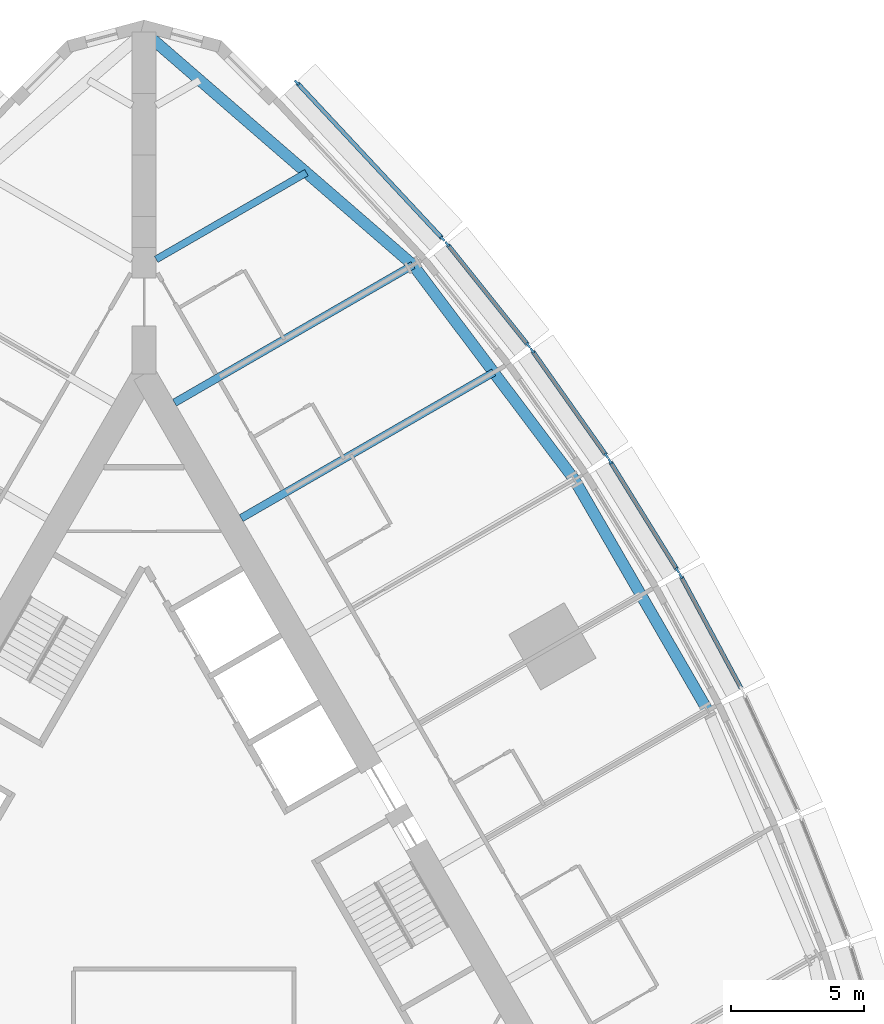
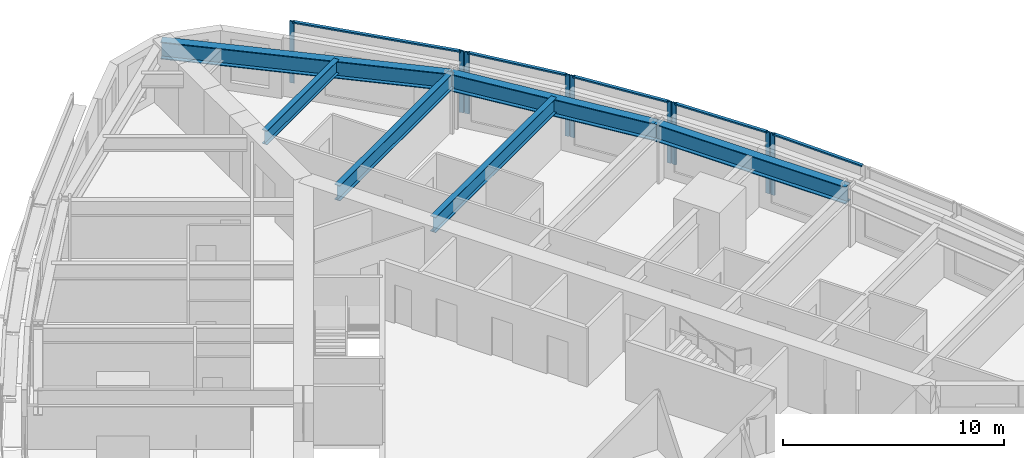
# One storey, part 5 of 14: 14 members, 6 beams, 5 elements without a shape of their own.
"""IFC4 building model written with IfcOpenShell, lengths in metres."""

from ifc_helpers import new_model, si_unit, direction, frame, origin, origin_2d, place, context, subcontext, project, spatial, rectangle, i_section, extrude, material, material_profile, profile_set, type_object, element, aggregate, save


model = new_model("IFC4")

# Units and contexts
model_context = context("Model", 3, precision=1e-05, world=origin(), true_north=direction((0.0, 1.0)))
body_context = subcontext(model_context, "Body", "Model", "MODEL_VIEW")
ifc_project = project(units=[si_unit("LENGTHUNIT", "METRE"), si_unit("AREAUNIT", "SQUARE_METRE"), si_unit("VOLUMEUNIT", "CUBIC_METRE"), si_unit("PLANEANGLEUNIT", "RADIAN"), si_unit("MASSUNIT", "GRAM", prefix="KILO")], contexts=[model_context])

# Site, building, storey
site_placement = place(None, origin())
site = spatial("IfcSite", under=ifc_project, at=site_placement, CompositionType="ELEMENT")
building_placement = place(site_placement, origin())
building = spatial("IfcBuilding", under=site, at=building_placement, Name="Trikona Tower", CompositionType="ELEMENT")
storey_placement = place(building_placement, frame((0.0, 0.0, 55.699951171875)))
storey = spatial("IfcBuildingStorey", under=building, at=storey_placement, Name="L13", CompositionType="ELEMENT", Elevation=55.699951171875)

# Curtain wall, member
ifc_material_1 = material(Name="Aluminium curtain wall system", Category="aluminium")
curtain_wall_type = type_object("IfcCurtainWallType", Name="Curtain wall DS1", PredefinedType="NOTDEFINED", material=ifc_material_1)
curtain_wall_1_placement = place(storey_placement, origin())
curtain_wall_1 = element("IfcCurtainWall", 1, at=curtain_wall_1_placement, inside=storey, type_object=curtain_wall_type, Name="Curtain wall DS1 L13", PredefinedType="NOTDEFINED")
ifc_material_2 = material(Name="Aluminium mullion, pale anodised", Category="aluminium")
ifc_material_profile_1 = material_profile(ifc_material_2, rectangle(XDim=0.080078125, YDim=0.219970703125, at=origin_2d()), Name="MUL-DS1")
ifc_profile_set_1 = profile_set([ifc_material_profile_1], Name="Aluminium mullion, pale anodised")
member_type_1 = type_object("IfcMemberType", Name="Mullion DS1 80x220", PredefinedType="MULLION", material=ifc_profile_set_1)
member_1_placement = place(storey_placement, frame((20.128662109375, 11.474365234375, 0.0), z_axis=(0.0, 0.0, 1.0), x_axis=(-0.880843080975, -0.473408350896, 0.0)))
member_1 = element("IfcMember", 2, at=member_1_placement, type_object=member_type_1, Name="CW-DS1 mullion 2", PredefinedType="MULLION", context=body_context, shape_type="SweptSolid", body=[
    extrude(rectangle(XDim=0.080078125, YDim=0.219970703125, at=origin_2d()), origin(), (0.0, 0.0, 1.0), 3.400146484375),
])

# Curtain wall, members
curtain_wall_2_placement = place(storey_placement, origin())
curtain_wall_2 = element("IfcCurtainWall", 3, at=curtain_wall_2_placement, inside=storey, type_object=curtain_wall_type, Name="Curtain wall DS1 L13", PredefinedType="NOTDEFINED")
member_2_placement = place(storey_placement, frame((20.00146484375, 11.69482421875, 0.0), z_axis=(0.0, 0.0, 1.0), x_axis=(-0.850410468941, -0.526119790842, 0.0)))
member_2 = element("IfcMember", 4, at=member_2_placement, type_object=member_type_1, Name="CW-DS1 mullion 1", PredefinedType="MULLION", context=body_context, shape_type="SweptSolid", body=[
    extrude(rectangle(XDim=0.080078125, YDim=0.219970703125, at=origin_2d()), origin(), (0.0, 0.0, 1.0), 3.400146484375),
])
member_3_placement = place(storey_placement, frame((17.474853515625, 15.77880859375, 0.0), z_axis=(0.0, 0.0, 1.0), x_axis=(-0.850410468941, -0.526119790842, 0.0)))
member_3 = element("IfcMember", 5, at=member_3_placement, type_object=member_type_1, Name="CW-DS1 mullion 2", PredefinedType="MULLION", context=body_context, shape_type="SweptSolid", body=[
    extrude(rectangle(XDim=0.080078125, YDim=0.219970703125, at=origin_2d()), origin(), (0.0, 0.0, 1.0), 3.400146484375),
])

curtain_wall_3_placement = place(storey_placement, origin())
curtain_wall_3 = element("IfcCurtainWall", 6, at=curtain_wall_3_placement, inside=storey, type_object=curtain_wall_type, Name="Curtain wall DS1 L13", PredefinedType="NOTDEFINED")
member_4_placement = place(storey_placement, frame((17.33447265625, 15.990966796875, 0.0), z_axis=(0.0, 0.0, 1.0), x_axis=(-0.816985393055, -0.576658362928, 0.0)))
member_4 = element("IfcMember", 7, at=member_4_placement, type_object=member_type_1, Name="CW-DS1 mullion 1", PredefinedType="MULLION", context=body_context, shape_type="SweptSolid", body=[
    extrude(rectangle(XDim=0.080078125, YDim=0.219970703125, at=origin_2d()), origin(), (0.0, 0.0, 1.0), 3.400146484375),
])
member_5_placement = place(storey_placement, frame((14.554443359375, 19.929443359375, 0.0), z_axis=(0.0, 0.0, 1.0), x_axis=(-0.816985393055, -0.576658362928, 0.0)))
member_5 = element("IfcMember", 8, at=member_5_placement, type_object=member_type_1, Name="CW-DS1 mullion 2", PredefinedType="MULLION", context=body_context, shape_type="SweptSolid", body=[
    extrude(rectangle(XDim=0.080078125, YDim=0.219970703125, at=origin_2d()), origin(), (0.0, 0.0, 1.0), 3.400146484375),
])

curtain_wall_4_placement = place(storey_placement, origin())
curtain_wall_4 = element("IfcCurtainWall", 9, at=curtain_wall_4_placement, inside=storey, type_object=curtain_wall_type, Name="Curtain wall DS1 L13", PredefinedType="NOTDEFINED")
member_6_placement = place(storey_placement, frame((14.40185546875, 20.13232421875, 0.0), z_axis=(0.0, 0.0, 1.0), x_axis=(-0.780937959679, -0.624608599951, 0.0)))
member_6 = element("IfcMember", 10, at=member_6_placement, type_object=member_type_1, Name="CW-DS1 mullion 1", PredefinedType="MULLION", context=body_context, shape_type="SweptSolid", body=[
    extrude(rectangle(XDim=0.080078125, YDim=0.219970703125, at=origin_2d()), origin(), (0.0, 0.0, 1.0), 3.400146484375),
])
member_7_placement = place(storey_placement, frame((11.36767578125, 23.926025390625, 0.0), z_axis=(0.0, 0.0, 1.0), x_axis=(-0.780937959679, -0.624608599951, 0.0)))
member_7 = element("IfcMember", 11, at=member_7_placement, type_object=member_type_1, Name="CW-DS1 mullion 2", PredefinedType="MULLION", context=body_context, shape_type="SweptSolid", body=[
    extrude(rectangle(XDim=0.080078125, YDim=0.219970703125, at=origin_2d()), origin(), (0.0, 0.0, 1.0), 3.400146484375),
])

curtain_wall_5_placement = place(storey_placement, origin())
curtain_wall_5 = element("IfcCurtainWall", 12, at=curtain_wall_5_placement, inside=storey, type_object=curtain_wall_type, Name="Curtain wall DS1 L13", PredefinedType="NOTDEFINED")
member_8_placement = place(storey_placement, frame((11.192138671875, 24.129150390625, 0.0), z_axis=(0.0, 0.0, 1.0), x_axis=(-0.731076639405, -0.682295351967, 0.0)))
member_8 = element("IfcMember", 13, at=member_8_placement, type_object=member_type_1, Name="CW-DS1 mullion 1", PredefinedType="MULLION", context=body_context, shape_type="SweptSolid", body=[
    extrude(rectangle(XDim=0.080078125, YDim=0.219970703125, at=origin_2d()), origin(), (0.0, 0.0, 1.0), 3.400146484375),
])
member_9_placement = place(storey_placement, frame((5.72607421875, 29.98583984375, 0.0), z_axis=(0.0, 0.0, 1.0), x_axis=(-0.731076639405, -0.682295351967, 0.0)))
member_9 = element("IfcMember", 14, at=member_9_placement, type_object=member_type_1, Name="CW-DS1 mullion 2", PredefinedType="MULLION", context=body_context, shape_type="SweptSolid", body=[
    extrude(rectangle(XDim=0.080078125, YDim=0.219970703125, at=origin_2d()), origin(), (0.0, 0.0, 1.0), 3.400146484375),
])

# Beams
ifc_material_3 = material(Name="Steel ASTM A992 Grade 50", Category="steel")
ifc_material_profile_2 = material_profile(ifc_material_3, i_section(OverallWidth=0.2666015625, OverallDepth=0.76953125, WebThickness=0.015625, FlangeThickness=0.025390625, at=origin_2d()), Name="W30X132")
ifc_profile_set_2 = profile_set([ifc_material_profile_2], Name="Steel ASTM A992 Grade 50")
beam_type_1 = type_object("IfcBeamType", Name="Steel beam W30x132 (wedge)", PredefinedType="BEAM", material=ifc_profile_set_2)
beam_1_placement = place(storey_placement, frame((0.449951171875, 23.353759765625, 2.850341796875), z_axis=(0.866022504693, 0.50000502134, 0.0), x_axis=(-0.50000502134, 0.866022504693, 0.0)))
element("IfcBeam", 15, at=beam_1_placement, inside=storey, type_object=beam_type_1, Name="Floor beam L14 F2 u20", PredefinedType="BEAM", context=body_context, shape_type="SweptSolid", body=[
    extrude(i_section(OverallWidth=0.2666015625, OverallDepth=0.76953125, WebThickness=0.015625, FlangeThickness=0.025390625, at=origin_2d()), origin(), (0.0, 0.0, 1.0), 6.5068359375),
])
ifc_material_4 = material(Name="Steel ASTM A992 Grade 50", Category="steel")
ifc_material_profile_3 = material_profile(ifc_material_4, i_section(OverallWidth=0.2919921875, OverallDepth=0.845703125, WebThickness=0.015380859375, FlangeThickness=0.0244140625, at=origin_2d()), Name="W33X141")
ifc_profile_set_3 = profile_set([ifc_material_profile_3], Name="Steel ASTM A992 Grade 50")
beam_type_2 = type_object("IfcBeamType", Name="Steel beam W33x141 (radial typ)", PredefinedType="BEAM", material=ifc_profile_set_3)
beam_2_placement = place(storey_placement, frame((3.6396484375, 13.6484375, 2.812255859375), z_axis=(0.866025348605, 0.500000095573, 0.0), x_axis=(-0.500000095573, 0.866025348605, 0.0)))
element("IfcBeam", 16, at=beam_2_placement, inside=storey, type_object=beam_type_2, Name="Floor beam L14 F2 u10", PredefinedType="BEAM", context=body_context, shape_type="SweptSolid", body=[
    extrude(i_section(OverallWidth=0.2919921875, OverallDepth=0.845703125, WebThickness=0.015380859375, FlangeThickness=0.0244140625, at=origin_2d()), origin(), (0.0, 0.0, 1.0), 10.935546875),
])
beam_3_placement = place(storey_placement, frame((1.1396484375, 17.978515625, 2.812255859375), z_axis=(0.866030471684, 0.499991222037, 0.0), x_axis=(-0.499991222037, 0.866030471684, 0.0)))
element("IfcBeam", 17, at=beam_3_placement, inside=storey, type_object=beam_type_2, Name="Floor beam L14 F2 u15", PredefinedType="BEAM", context=body_context, shape_type="SweptSolid", body=[
    extrude(i_section(OverallWidth=0.2919921875, OverallDepth=0.845703125, WebThickness=0.015380859375, FlangeThickness=0.0244140625, at=origin_2d()), origin(), (0.0, 0.0, 1.0), 10.326904296875),
])
ifc_material_5 = material(Name="Steel ASTM A992 Grade 50", Category="steel")
ifc_material_profile_4 = material_profile(ifc_material_5, i_section(OverallWidth=0.424072265625, OverallDepth=0.947509765625, WebThickness=0.02392578125, FlangeThickness=0.042724609375, at=origin_2d()), Name="W36X302")
ifc_profile_set_4 = profile_set([ifc_material_profile_4], Name="Steel ASTM A992 Grade 50")
beam_type_3 = type_object("IfcBeamType", Name="Steel beam W36x302 (spandrel)", PredefinedType="SPANDREL", material=ifc_profile_set_4)
beam_4_placement = place(storey_placement, frame((21.13720703125, 6.43017578125, 2.76123046875), z_axis=(-0.500004234368, 0.866022959057, 0.0), x_axis=(-0.866022959057, -0.500004234368, 0.0)))
element("IfcBeam", 18, at=beam_4_placement, inside=storey, type_object=beam_type_3, Name="Spandrel beam L14 F2-3", PredefinedType="SPANDREL", context=body_context, shape_type="SweptSolid", body=[
    extrude(i_section(OverallWidth=0.424072265625, OverallDepth=0.947509765625, WebThickness=0.02392578125, FlangeThickness=0.042724609375, at=origin_2d()), origin(), (0.0, 0.0, 1.0), 10.0),
])
beam_5_placement = place(storey_placement, frame((16.13720703125, 15.09033203125, 2.76123046875), z_axis=(-0.600988344191, 0.799257787042, 0.0), x_axis=(-0.799257787042, -0.600988344191, 0.0)))
element("IfcBeam", 19, at=beam_5_placement, inside=storey, type_object=beam_type_3, Name="Spandrel beam L14 F2-4", PredefinedType="SPANDREL", context=body_context, shape_type="SweptSolid", body=[
    extrude(i_section(OverallWidth=0.424072265625, OverallDepth=0.947509765625, WebThickness=0.02392578125, FlangeThickness=0.042724609375, at=origin_2d()), origin(), (0.0, 0.0, 1.0), 10.07373046875),
])
beam_6_placement = place(storey_placement, frame((10.0830078125, 23.141845703125, 2.76123046875), z_axis=(-0.755646822726, 0.654979296851, 0.0), x_axis=(-0.654979296851, -0.755646822726, 0.0)))
element("IfcBeam", 20, at=beam_6_placement, inside=storey, type_object=beam_type_3, Name="Spandrel beam L14 F2-5", PredefinedType="SPANDREL", context=body_context, shape_type="SweptSolid", body=[
    extrude(i_section(OverallWidth=0.424072265625, OverallDepth=0.947509765625, WebThickness=0.02392578125, FlangeThickness=0.042724609375, at=origin_2d()), origin(), (0.0, 0.0, 1.0), 13.343505859375),
])

# Member
ifc_material_6 = material(Name="Aluminium transom, pale anodised", Category="aluminium")
ifc_material_profile_5 = material_profile(ifc_material_6, rectangle(XDim=0.159912109375, YDim=0.080078125, at=origin_2d()), Name="TRN-DS1")
ifc_profile_set_5 = profile_set([ifc_material_profile_5], Name="Aluminium transom, pale anodised")
member_type_2 = type_object("IfcMemberType", Name="Transom DS1 80x160", PredefinedType="USERDEFINED", material=ifc_profile_set_5)
member_10_placement = place(storey_placement, frame((22.38330078125, 7.279541015625, 3.360107421875), z_axis=(-0.473427569755, 0.880832751546, 0.0), x_axis=(-0.880832751546, -0.473427569755, 0.0)))
member_10 = element("IfcMember", 21, at=member_10_placement, type_object=member_type_2, Name="CW-DS1 transom 1.1", ObjectType="TRANSOM", PredefinedType="USERDEFINED", context=body_context, shape_type="SweptSolid", body=[
    extrude(rectangle(XDim=0.159912109375, YDim=0.080078125, at=origin_2d()), origin(), (0.0, 0.0, 1.0), 4.72216796875),
])

aggregate(curtain_wall_1, [member_1, member_10])

member_11_placement = place(storey_placement, frame((19.980224609375, 11.728759765625, 3.360107421875), z_axis=(-0.526080502257, 0.850434774186, 0.0), x_axis=(-0.850434774186, -0.526080502257, 0.0)))
member_11 = element("IfcMember", 22, at=member_11_placement, type_object=member_type_2, Name="CW-DS1 transom 1.1", ObjectType="TRANSOM", PredefinedType="USERDEFINED", context=body_context, shape_type="SweptSolid", body=[
    extrude(rectangle(XDim=0.159912109375, YDim=0.080078125, at=origin_2d()), origin(), (0.0, 0.0, 1.0), 4.722412109375),
])

aggregate(curtain_wall_2, [member_2, member_3, member_11])

member_12_placement = place(storey_placement, frame((17.311279296875, 16.023681640625, 3.360107421875), z_axis=(-0.57664478015, 0.816994980111, 0.0), x_axis=(-0.816994980111, -0.57664478015, 0.0)))
member_12 = element("IfcMember", 23, at=member_12_placement, type_object=member_type_2, Name="CW-DS1 transom 1.1", ObjectType="TRANSOM", PredefinedType="USERDEFINED", context=body_context, shape_type="SweptSolid", body=[
    extrude(rectangle(XDim=0.159912109375, YDim=0.080078125, at=origin_2d()), origin(), (0.0, 0.0, 1.0), 4.740478515625),
])

aggregate(curtain_wall_3, [member_4, member_5, member_12])

member_13_placement = place(storey_placement, frame((14.376953125, 20.16357421875, 3.360107421875), z_axis=(-0.624589103832, 0.780953552636, 0.0), x_axis=(-0.780953552636, -0.624589103832, 0.0)))
member_13 = element("IfcMember", 24, at=member_13_placement, type_object=member_type_2, Name="CW-DS1 transom 1.1", ObjectType="TRANSOM", PredefinedType="USERDEFINED", context=body_context, shape_type="SweptSolid", body=[
    extrude(rectangle(XDim=0.159912109375, YDim=0.080078125, at=origin_2d()), origin(), (0.0, 0.0, 1.0), 4.77783203125),
])

aggregate(curtain_wall_4, [member_6, member_7, member_13])

member_14_placement = place(storey_placement, frame((11.164794921875, 24.158203125, 3.360107421875), z_axis=(-0.682290830921, 0.731080858758, 0.0), x_axis=(-0.731080858758, -0.682290830921, 0.0)))
member_14 = element("IfcMember", 25, at=member_14_placement, type_object=member_type_2, Name="CW-DS1 transom 1.1", ObjectType="TRANSOM", PredefinedType="USERDEFINED", context=body_context, shape_type="SweptSolid", body=[
    extrude(rectangle(XDim=0.159912109375, YDim=0.080078125, at=origin_2d()), origin(), (0.0, 0.0, 1.0), 7.93115234375),
])

aggregate(curtain_wall_5, [member_8, member_9, member_14])

save(model, "model.ifc")
